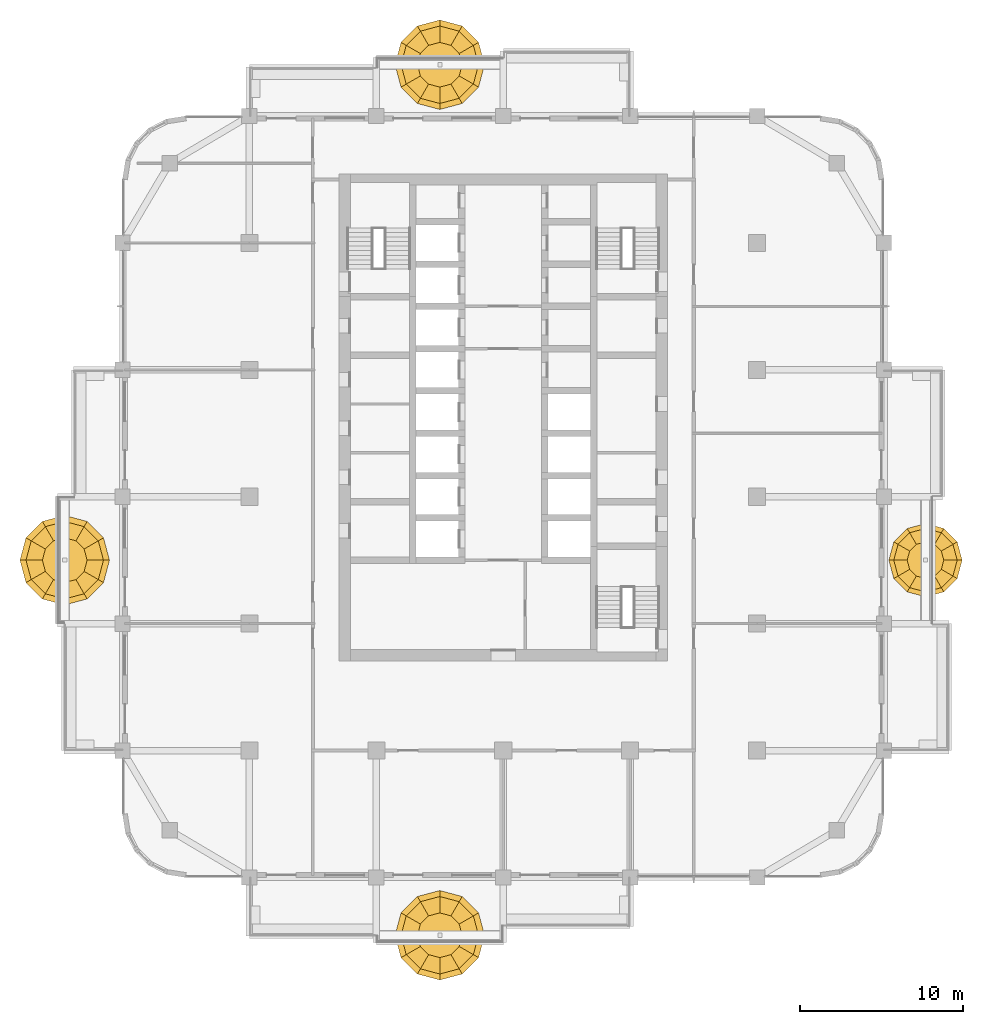
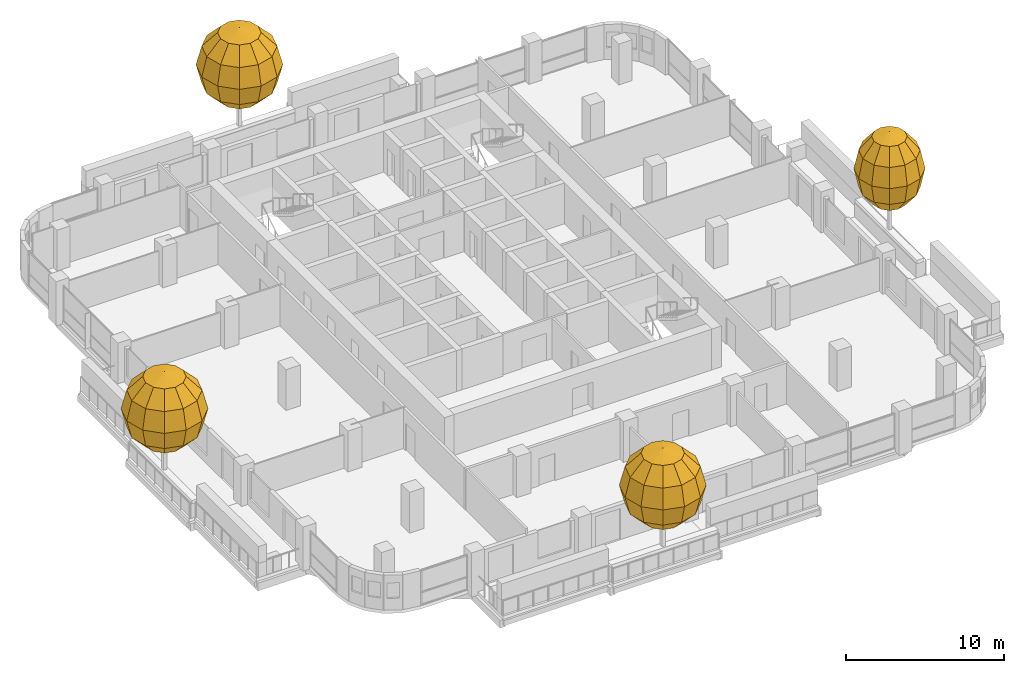
# One storey, part 21 of 21: 4 coverings.
"""IFC4 building model written with IfcOpenShell, lengths in metres."""

import ifcopenshell
import ifcopenshell.guid

model = None  # the IFC model being written
_history = None  # IfcOwnerHistory: only IFC2X3 demands one
_inside = {}  # id of a spatial element -> (the spatial element, [elements in it])
_under = {}  # id of a project, library or spatial element -> (it, [spatial elements below it])
_declared = {}  # id of a project -> (the project, [libraries it declares])
_typed = {}  # id of a type object -> (the type object, [elements of that type])
_made_of = {}  # id of a material, layer set ... -> (it, [elements and type objects made of it])


def new_model(schema):
    """Start an empty IFC model of exactly this schema.

    Asked for "IFC4X3", IfcOpenShell would pick the latest addendum, in which some entities
    have other attributes; the version numbers below select the first issue.
    IFC2X3 requires an IfcOwnerHistory on every rooted entity: one is made here for all.
    """
    global model, _history
    if schema == "IFC4X3":
        model = ifcopenshell.file(schema_version=(4, 3, 0, 0))
    else:
        model = ifcopenshell.file(schema=schema)
    _inside.clear()
    _under.clear()
    _declared.clear()
    _typed.clear()
    _made_of.clear()
    _history = None
    if model.schema == "IFC2X3":
        org = make("IfcOrganization", Name="unknown")
        user = make(
            "IfcPersonAndOrganization",
            ThePerson=make("IfcPerson", FamilyName="unknown"),
            TheOrganization=org,
        )
        app = make(
            "IfcApplication",
            ApplicationDeveloper=org,
            Version="unknown",
            ApplicationFullName="unknown",
            ApplicationIdentifier="unknown",
        )
        _history = make(
            "IfcOwnerHistory",
            OwningUser=user,
            OwningApplication=app,
            ChangeAction="ADDED",
            CreationDate=0,
        )
    return model


def make(cls, **values):
    """One entity of the class cls with the attributes given. An attribute that is None is left unset."""
    return model.create_entity(
        cls, **{name: value for name, value in values.items() if value is not None}
    )


def rooted(cls, **values):
    """An entity with a GlobalId (a new one), such as an element, a storey or a relation."""
    return make(cls, GlobalId=ifcopenshell.guid.new(), OwnerHistory=_history, **values)


def si_unit(unit_type, name, prefix=None):
    """IfcSIUnit, for example si_unit("LENGTHUNIT", "METRE", prefix="MILLI")."""
    return make("IfcSIUnit", UnitType=unit_type, Prefix=prefix, Name=name)


def assignment(units):
    """IfcUnitAssignment: the units of a project."""
    return None if units is None else make("IfcUnitAssignment", Units=units)


def point(xyz):
    """IfcCartesianPoint."""
    return None if xyz is None else make("IfcCartesianPoint", Coordinates=xyz)


def direction(xyz):
    """IfcDirection."""
    return None if xyz is None else make("IfcDirection", DirectionRatios=xyz)


def frame(location, z_axis=None, x_axis=None):
    """IfcAxis2Placement3D, a coordinate frame: its origin and axes. An axis left out is left unset."""
    return make(
        "IfcAxis2Placement3D",
        Location=point(location),
        Axis=direction(z_axis),
        RefDirection=direction(x_axis),
    )


def origin():
    """The frame at (0, 0, 0) with its axes left unset."""
    return frame((0.0, 0.0, 0.0))


def place(relative_to, where):
    """IfcLocalPlacement: puts the frame where relative to a parent placement (None: the world)."""
    return make(
        "IfcLocalPlacement", PlacementRelTo=relative_to, RelativePlacement=where
    )


def context(
    kind, dimensions, precision=None, world=None, true_north=None, identifier=None
):
    """IfcGeometricRepresentationContext, for example the 3D "Model" context."""
    return make(
        "IfcGeometricRepresentationContext",
        ContextIdentifier=identifier,
        ContextType=kind,
        CoordinateSpaceDimension=dimensions,
        Precision=precision,
        WorldCoordinateSystem=world,
        TrueNorth=true_north,
    )


def subcontext(parent, identifier, kind, view, scale=None):
    """IfcGeometricRepresentationSubContext, for example "Body" below "Model"."""
    return make(
        "IfcGeometricRepresentationSubContext",
        ContextIdentifier=identifier,
        ContextType=kind,
        ParentContext=parent,
        TargetScale=scale,
        TargetView=view,
    )


def project(units=None, contexts=None):
    """IfcProject with its units and contexts."""
    return rooted(
        "IfcProject",
        Name="project",
        RepresentationContexts=contexts,
        UnitsInContext=assignment(units),
    )


def spatial(cls, under=None, at=None, **own):
    """A site, building, storey or space (cls), placed at a placement, below another one or the project."""
    s = rooted(cls, ObjectPlacement=at, **own)
    if under is not None:
        _under.setdefault(under.id(), (under, []))[1].append(s)
    return s


def point_list(points):
    """IfcCartesianPointList2D or 3D."""
    cls = (
        "IfcCartesianPointList2D" if len(points[0]) == 2 else "IfcCartesianPointList3D"
    )
    return make(cls, CoordList=points)


def triangles(points, corners, closed=None, point_numbers=None):
    """IfcTriangulatedFaceSet: each triangle names its three corners, points numbered from 1."""
    return make(
        "IfcTriangulatedFaceSet",
        Coordinates=point_list(points),
        Closed=closed,
        CoordIndex=corners,
        PnIndex=point_numbers,
    )


def shape(context_of_items, identifier, shape_type, items):
    """IfcShapeRepresentation: the items that make up one representation, for example the "Body"."""
    return make(
        "IfcShapeRepresentation",
        ContextOfItems=context_of_items,
        RepresentationIdentifier=identifier,
        RepresentationType=shape_type,
        Items=items,
    )


def material(Name=None, Category=None):
    """IfcMaterial."""
    return make("IfcMaterial", Name=Name, Category=Category)


def layer(
    of_material, thickness, ventilated=None, Name=None, Category=None, Priority=None
):
    """IfcMaterialLayer: one layer of a wall or slab, of a material (None: an air gap)."""
    return make(
        "IfcMaterialLayer",
        Material=of_material,
        LayerThickness=thickness,
        IsVentilated=ventilated,
        Name=Name,
        Category=Category,
        Priority=Priority,
    )


def layer_set(layers, Name=None):
    """IfcMaterialLayerSet."""
    return make("IfcMaterialLayerSet", MaterialLayers=layers, LayerSetName=Name)


def made_of(thing, what):
    """Note that an element or type object is made of a material, layer set ...; save() writes the relation."""
    if what is not None:
        _made_of.setdefault(what.id(), (what, []))[1].append(thing)
    return thing


def type_object(cls, material=None, **own):
    """A type object (cls), such as IfcWallType, which elements share."""
    return made_of(rooted(cls, **own), material)


def element(
    cls,
    number,
    at=None,
    inside=None,
    cuts=None,
    type_object=None,
    material=None,
    context=None,
    identifier="Body",
    shape_type=None,
    held_by="IfcProductDefinitionShape",
    body=None,
    shapes=None,
    **own,
):
    """One element of the class cls, such as IfcWall. Its Tag is "e" and its number.

    at: its placement. inside: the storey or other place that contains it. cuts: it is an
    opening in that element (IfcRelVoidsElement). A single representation is given by context,
    identifier, shape_type and body (its items); several are given by shapes. held_by: the class
    of the entity that holds the representations. save() writes the other relations.
    """
    e = rooted(cls, Tag="e%d" % number, ObjectPlacement=at, **own)
    if body is not None:
        shapes = [shape(context, identifier, shape_type, body)]
    if shapes is not None:
        e.Representation = make(held_by, Representations=shapes)
    if inside is not None:
        _inside.setdefault(inside.id(), (inside, []))[1].append(e)
    if cuts is not None:
        rooted(
            "IfcRelVoidsElement", RelatingBuildingElement=cuts, RelatedOpeningElement=e
        )
    if type_object is not None:
        _typed.setdefault(type_object.id(), (type_object, []))[1].append(e)
    return made_of(e, material)


def aggregate(whole, parts):
    """IfcRelAggregates: a whole, such as a stair, and the parts it consists of."""
    return rooted("IfcRelAggregates", RelatingObject=whole, RelatedObjects=parts)


def save(model, path):
    """Write the relations noted so far, then the file.

    IfcRelAggregates (storeys below a building ...), IfcRelContainedInSpatialStructure (elements
    in a storey), IfcRelDefinesByType, IfcRelAssociatesMaterial and IfcRelDeclares: one each for
    every whole, place, type object, material and project.
    """
    for whole, parts in _under.values():
        aggregate(whole, parts)
    for where, things in _inside.values():
        rooted(
            "IfcRelContainedInSpatialStructure",
            RelatedElements=things,
            RelatingStructure=where,
        )
    for kind, things in _typed.values():
        rooted("IfcRelDefinesByType", RelatedObjects=things, RelatingType=kind)
    for what, things in _made_of.values():
        rooted("IfcRelAssociatesMaterial", RelatedObjects=things, RelatingMaterial=what)
    for by, libraries in _declared.values():
        rooted("IfcRelDeclares", RelatingContext=by, RelatedDefinitions=libraries)
    model.write(path)


model = new_model("IFC4")

# Units and contexts
model_context = context("Model", 3, precision=1e-05, world=origin(), true_north=direction((0.0, 1.0)))
body_context = subcontext(model_context, "Body", "Model", "MODEL_VIEW")
ifc_project = project(units=[si_unit("LENGTHUNIT", "METRE"), si_unit("AREAUNIT", "SQUARE_METRE"), si_unit("VOLUMEUNIT", "CUBIC_METRE"), si_unit("PLANEANGLEUNIT", "RADIAN"), si_unit("MASSUNIT", "GRAM", prefix="KILO")], contexts=[model_context])

# Site, building, storey
site_placement = place(None, origin())
site = spatial("IfcSite", under=ifc_project, at=site_placement, CompositionType="ELEMENT")
building_placement = place(site_placement, origin())
building = spatial("IfcBuilding", under=site, at=building_placement, Name="Ludao Terraces", CompositionType="ELEMENT")
storey_placement = place(building_placement, frame((0.0, 0.0, 71.60009765625)))
storey = spatial("IfcBuildingStorey", under=building, at=storey_placement, Name="L19", CompositionType="ELEMENT", Elevation=71.60009765625)

# Coverings
ifc_material = material(Name="Planting")
ifc_layer_1 = layer(ifc_material, 4.5)
ifc_layer_set_1 = layer_set([ifc_layer_1], Name="ENV Tree crown 4500x5700")
covering_type_1 = type_object("IfcCoveringType", Name="ENV Tree crown 4500x5700", PredefinedType="USERDEFINED", material=ifc_layer_set_1)
covering_1_placement = place(storey_placement, frame((110.949951171875, 61.10009765625, 6.0)))
element("IfcCovering", 1, at=covering_1_placement, inside=storey, type_object=covering_type_1, Name="Tree crown L19 E2", ObjectType="PLANTING", PredefinedType="USERDEFINED", context=body_context, shape_type="Tessellation", body=[
    triangles([(0.0, 0.0, 2.85009765625), (1.125, 0.0, 2.46826171875), (0.974365234375, 0.5625, 2.46826171875), (0.5625, 0.974365234375, 2.46826171875), (0.0, 1.125, 2.46826171875), (-0.5625, 0.974365234375, 2.46826171875), (-0.974365234375, 0.5625, 2.46826171875), (-1.125, 0.0, 2.46826171875), (-0.974365234375, -0.5625, 2.46826171875), (-0.5625, -0.974365234375, 2.46826171875), (0.0, -1.125, 2.46826171875), (0.5625, -0.974365234375, 2.46826171875), (0.974365234375, -0.5625, 2.46826171875), (1.948486328125, 0.0, 1.425048828125), (1.6875, 0.974365234375, 1.425048828125), (0.974365234375, 1.6875, 1.425048828125), (0.0, 1.948486328125, 1.425048828125), (-0.974365234375, 1.6875, 1.425048828125), (-1.6875, 0.974365234375, 1.425048828125), (-1.948486328125, 0.0, 1.425048828125), (-1.6875, -0.974365234375, 1.425048828125), (-0.974365234375, -1.6875, 1.425048828125), (0.0, -1.948486328125, 1.425048828125), (0.974365234375, -1.6875, 1.425048828125), (1.6875, -0.974365234375, 1.425048828125), (2.25, 0.0, 0.0), (1.948486328125, 1.125, 0.0), (1.125, 1.948486328125, 0.0), (0.0, 2.25, 0.0), (-1.125, 1.948486328125, 0.0), (-1.948486328125, 1.125, 0.0), (-2.25, 0.0, 0.0), (-1.948486328125, -1.125, 0.0), (-1.125, -1.948486328125, 0.0), (0.0, -2.25, 0.0), (1.125, -1.948486328125, 0.0), (1.948486328125, -1.125, 0.0), (1.948486328125, 0.0, -1.425048828125), (1.6875, 0.974365234375, -1.425048828125), (0.974365234375, 1.6875, -1.425048828125), (0.0, 1.948486328125, -1.425048828125), (-0.974365234375, 1.6875, -1.425048828125), (-1.6875, 0.974365234375, -1.425048828125), (-1.948486328125, 0.0, -1.425048828125), (-1.6875, -0.974365234375, -1.425048828125), (-0.974365234375, -1.6875, -1.425048828125), (0.0, -1.948486328125, -1.425048828125), (0.974365234375, -1.6875, -1.425048828125), (1.6875, -0.974365234375, -1.425048828125), (1.125, 0.0, -2.46826171875), (0.974365234375, 0.5625, -2.46826171875), (0.5625, 0.974365234375, -2.46826171875), (0.0, 1.125, -2.46826171875), (-0.5625, 0.974365234375, -2.46826171875), (-0.974365234375, 0.5625, -2.46826171875), (-1.125, 0.0, -2.46826171875), (-0.974365234375, -0.5625, -2.46826171875), (-0.5625, -0.974365234375, -2.46826171875), (0.0, -1.125, -2.46826171875), (0.5625, -0.974365234375, -2.46826171875), (0.974365234375, -0.5625, -2.46826171875), (0.0, 0.0, -2.85009765625)], [[1, 2, 3], [1, 3, 4], [1, 4, 5], [1, 5, 6], [1, 6, 7], [1, 7, 8], [1, 8, 9], [1, 9, 10], [1, 10, 11], [1, 11, 12], [1, 12, 13], [1, 13, 2], [2, 14, 15], [2, 15, 3], [3, 15, 16], [3, 16, 4], [4, 16, 17], [4, 17, 5], [5, 17, 18], [5, 18, 6], [6, 18, 19], [6, 19, 7], [7, 19, 20], [7, 20, 8], [8, 20, 21], [8, 21, 9], [9, 21, 22], [9, 22, 10], [10, 22, 23], [10, 23, 11], [11, 23, 24], [11, 24, 12], [12, 24, 25], [12, 25, 13], [13, 25, 14], [13, 14, 2], [14, 26, 27], [14, 27, 15], [15, 27, 28], [15, 28, 16], [16, 28, 29], [16, 29, 17], [17, 29, 30], [17, 30, 18], [18, 30, 31], [18, 31, 19], [19, 31, 32], [19, 32, 20], [20, 32, 33], [20, 33, 21], [21, 33, 34], [21, 34, 22], [22, 34, 35], [22, 35, 23], [23, 35, 36], [23, 36, 24], [24, 36, 37], [24, 37, 25], [25, 37, 26], [25, 26, 14], [26, 38, 39], [26, 39, 27], [27, 39, 40], [27, 40, 28], [28, 40, 41], [28, 41, 29], [29, 41, 42], [29, 42, 30], [30, 42, 43], [30, 43, 31], [31, 43, 44], [31, 44, 32], [32, 44, 45], [32, 45, 33], [33, 45, 46], [33, 46, 34], [34, 46, 47], [34, 47, 35], [35, 47, 48], [35, 48, 36], [36, 48, 49], [36, 49, 37], [37, 49, 38], [37, 38, 26], [38, 50, 51], [38, 51, 39], [39, 51, 52], [39, 52, 40], [40, 52, 53], [40, 53, 41], [41, 53, 54], [41, 54, 42], [42, 54, 55], [42, 55, 43], [43, 55, 56], [43, 56, 44], [44, 56, 57], [44, 57, 45], [45, 57, 58], [45, 58, 46], [46, 58, 59], [46, 59, 47], [47, 59, 60], [47, 60, 48], [48, 60, 61], [48, 61, 49], [49, 61, 50], [49, 50, 38], [62, 51, 50], [62, 52, 51], [62, 53, 52], [62, 54, 53], [62, 55, 54], [62, 56, 55], [62, 57, 56], [62, 58, 57], [62, 59, 58], [62, 60, 59], [62, 61, 60], [62, 50, 61]], closed=True),
])
ifc_layer_2 = layer(ifc_material, 5.5)
ifc_layer_set_2 = layer_set([ifc_layer_2], Name="ENV Tree crown 5500x5700")
covering_type_2 = type_object("IfcCoveringType", Name="ENV Tree crown 5500x5700", PredefinedType="USERDEFINED", material=ifc_layer_set_2)
covering_2_placement = place(storey_placement, frame((81.10009765625, 38.050048828125, 6.0)))
element("IfcCovering", 2, at=covering_2_placement, inside=storey, type_object=covering_type_2, Name="Tree crown L19 S2", ObjectType="PLANTING", PredefinedType="USERDEFINED", context=body_context, shape_type="Tessellation", body=[
    triangles([(0.0, 0.0, 2.85009765625), (1.375, 0.0, 2.46826171875), (1.190673828125, 0.6875, 2.46826171875), (0.6875, 1.190673828125, 2.46826171875), (0.0, 1.375, 2.46826171875), (-0.6875, 1.190673828125, 2.46826171875), (-1.190673828125, 0.6875, 2.46826171875), (-1.375, 0.0, 2.46826171875), (-1.190673828125, -0.6875, 2.46826171875), (-0.6875, -1.190673828125, 2.46826171875), (0.0, -1.375, 2.46826171875), (0.6875, -1.190673828125, 2.46826171875), (1.190673828125, -0.6875, 2.46826171875), (2.381591796875, 0.0, 1.425048828125), (2.0625, 1.190673828125, 1.425048828125), (1.190673828125, 2.0625, 1.425048828125), (0.0, 2.381591796875, 1.425048828125), (-1.190673828125, 2.0625, 1.425048828125), (-2.0625, 1.190673828125, 1.425048828125), (-2.381591796875, 0.0, 1.425048828125), (-2.0625, -1.190673828125, 1.425048828125), (-1.190673828125, -2.0625, 1.425048828125), (0.0, -2.381591796875, 1.425048828125), (1.190673828125, -2.0625, 1.425048828125), (2.0625, -1.190673828125, 1.425048828125), (2.75, 0.0, 0.0), (2.381591796875, 1.375, 0.0), (1.375, 2.381591796875, 0.0), (0.0, 2.75, 0.0), (-1.375, 2.381591796875, 0.0), (-2.381591796875, 1.375, 0.0), (-2.75, 0.0, 0.0), (-2.381591796875, -1.375, 0.0), (-1.375, -2.381591796875, 0.0), (0.0, -2.75, 0.0), (1.375, -2.381591796875, 0.0), (2.381591796875, -1.375, 0.0), (2.381591796875, 0.0, -1.425048828125), (2.0625, 1.190673828125, -1.425048828125), (1.190673828125, 2.0625, -1.425048828125), (0.0, 2.381591796875, -1.425048828125), (-1.190673828125, 2.0625, -1.425048828125), (-2.0625, 1.190673828125, -1.425048828125), (-2.381591796875, 0.0, -1.425048828125), (-2.0625, -1.190673828125, -1.425048828125), (-1.190673828125, -2.0625, -1.425048828125), (0.0, -2.381591796875, -1.425048828125), (1.190673828125, -2.0625, -1.425048828125), (2.0625, -1.190673828125, -1.425048828125), (1.375, 0.0, -2.46826171875), (1.190673828125, 0.6875, -2.46826171875), (0.6875, 1.190673828125, -2.46826171875), (0.0, 1.375, -2.46826171875), (-0.6875, 1.190673828125, -2.46826171875), (-1.190673828125, 0.6875, -2.46826171875), (-1.375, 0.0, -2.46826171875), (-1.190673828125, -0.6875, -2.46826171875), (-0.6875, -1.190673828125, -2.46826171875), (0.0, -1.375, -2.46826171875), (0.6875, -1.190673828125, -2.46826171875), (1.190673828125, -0.6875, -2.46826171875), (0.0, 0.0, -2.85009765625)], [[1, 2, 3], [1, 3, 4], [1, 4, 5], [1, 5, 6], [1, 6, 7], [1, 7, 8], [1, 8, 9], [1, 9, 10], [1, 10, 11], [1, 11, 12], [1, 12, 13], [1, 13, 2], [2, 14, 15], [2, 15, 3], [3, 15, 16], [3, 16, 4], [4, 16, 17], [4, 17, 5], [5, 17, 18], [5, 18, 6], [6, 18, 19], [6, 19, 7], [7, 19, 20], [7, 20, 8], [8, 20, 21], [8, 21, 9], [9, 21, 22], [9, 22, 10], [10, 22, 23], [10, 23, 11], [11, 23, 24], [11, 24, 12], [12, 24, 25], [12, 25, 13], [13, 25, 14], [13, 14, 2], [14, 26, 27], [14, 27, 15], [15, 27, 28], [15, 28, 16], [16, 28, 29], [16, 29, 17], [17, 29, 30], [17, 30, 18], [18, 30, 31], [18, 31, 19], [19, 31, 32], [19, 32, 20], [20, 32, 33], [20, 33, 21], [21, 33, 34], [21, 34, 22], [22, 34, 35], [22, 35, 23], [23, 35, 36], [23, 36, 24], [24, 36, 37], [24, 37, 25], [25, 37, 26], [25, 26, 14], [26, 38, 39], [26, 39, 27], [27, 39, 40], [27, 40, 28], [28, 40, 41], [28, 41, 29], [29, 41, 42], [29, 42, 30], [30, 42, 43], [30, 43, 31], [31, 43, 44], [31, 44, 32], [32, 44, 45], [32, 45, 33], [33, 45, 46], [33, 46, 34], [34, 46, 47], [34, 47, 35], [35, 47, 48], [35, 48, 36], [36, 48, 49], [36, 49, 37], [37, 49, 38], [37, 38, 26], [38, 50, 51], [38, 51, 39], [39, 51, 52], [39, 52, 40], [40, 52, 53], [40, 53, 41], [41, 53, 54], [41, 54, 42], [42, 54, 55], [42, 55, 43], [43, 55, 56], [43, 56, 44], [44, 56, 57], [44, 57, 45], [45, 57, 58], [45, 58, 46], [46, 58, 59], [46, 59, 47], [47, 59, 60], [47, 60, 48], [48, 60, 61], [48, 61, 49], [49, 61, 50], [49, 50, 38], [62, 51, 50], [62, 52, 51], [62, 53, 52], [62, 54, 53], [62, 55, 54], [62, 56, 55], [62, 57, 56], [62, 58, 57], [62, 59, 58], [62, 60, 59], [62, 61, 60], [62, 50, 61]], closed=True),
])
covering_3_placement = place(storey_placement, frame((81.10009765625, 91.550048828125, 6.0)))
element("IfcCovering", 3, at=covering_3_placement, inside=storey, type_object=covering_type_2, Name="Tree crown L19 N2", ObjectType="PLANTING", PredefinedType="USERDEFINED", context=body_context, shape_type="Tessellation", body=[
    triangles([(0.0, 0.0, 2.85009765625), (1.375, 0.0, 2.46826171875), (1.190673828125, 0.6875, 2.46826171875), (0.6875, 1.190673828125, 2.46826171875), (0.0, 1.375, 2.46826171875), (-0.6875, 1.190673828125, 2.46826171875), (-1.190673828125, 0.6875, 2.46826171875), (-1.375, 0.0, 2.46826171875), (-1.190673828125, -0.6875, 2.46826171875), (-0.6875, -1.190673828125, 2.46826171875), (0.0, -1.375, 2.46826171875), (0.6875, -1.190673828125, 2.46826171875), (1.190673828125, -0.6875, 2.46826171875), (2.381591796875, 0.0, 1.425048828125), (2.0625, 1.190673828125, 1.425048828125), (1.190673828125, 2.0625, 1.425048828125), (0.0, 2.381591796875, 1.425048828125), (-1.190673828125, 2.0625, 1.425048828125), (-2.0625, 1.190673828125, 1.425048828125), (-2.381591796875, 0.0, 1.425048828125), (-2.0625, -1.190673828125, 1.425048828125), (-1.190673828125, -2.0625, 1.425048828125), (0.0, -2.381591796875, 1.425048828125), (1.190673828125, -2.0625, 1.425048828125), (2.0625, -1.190673828125, 1.425048828125), (2.75, 0.0, 0.0), (2.381591796875, 1.375, 0.0), (1.375, 2.381591796875, 0.0), (0.0, 2.75, 0.0), (-1.375, 2.381591796875, 0.0), (-2.381591796875, 1.375, 0.0), (-2.75, 0.0, 0.0), (-2.381591796875, -1.375, 0.0), (-1.375, -2.381591796875, 0.0), (0.0, -2.75, 0.0), (1.375, -2.381591796875, 0.0), (2.381591796875, -1.375, 0.0), (2.381591796875, 0.0, -1.425048828125), (2.0625, 1.190673828125, -1.425048828125), (1.190673828125, 2.0625, -1.425048828125), (0.0, 2.381591796875, -1.425048828125), (-1.190673828125, 2.0625, -1.425048828125), (-2.0625, 1.190673828125, -1.425048828125), (-2.381591796875, 0.0, -1.425048828125), (-2.0625, -1.190673828125, -1.425048828125), (-1.190673828125, -2.0625, -1.425048828125), (0.0, -2.381591796875, -1.425048828125), (1.190673828125, -2.0625, -1.425048828125), (2.0625, -1.190673828125, -1.425048828125), (1.375, 0.0, -2.46826171875), (1.190673828125, 0.6875, -2.46826171875), (0.6875, 1.190673828125, -2.46826171875), (0.0, 1.375, -2.46826171875), (-0.6875, 1.190673828125, -2.46826171875), (-1.190673828125, 0.6875, -2.46826171875), (-1.375, 0.0, -2.46826171875), (-1.190673828125, -0.6875, -2.46826171875), (-0.6875, -1.190673828125, -2.46826171875), (0.0, -1.375, -2.46826171875), (0.6875, -1.190673828125, -2.46826171875), (1.190673828125, -0.6875, -2.46826171875), (0.0, 0.0, -2.85009765625)], [[1, 2, 3], [1, 3, 4], [1, 4, 5], [1, 5, 6], [1, 6, 7], [1, 7, 8], [1, 8, 9], [1, 9, 10], [1, 10, 11], [1, 11, 12], [1, 12, 13], [1, 13, 2], [2, 14, 15], [2, 15, 3], [3, 15, 16], [3, 16, 4], [4, 16, 17], [4, 17, 5], [5, 17, 18], [5, 18, 6], [6, 18, 19], [6, 19, 7], [7, 19, 20], [7, 20, 8], [8, 20, 21], [8, 21, 9], [9, 21, 22], [9, 22, 10], [10, 22, 23], [10, 23, 11], [11, 23, 24], [11, 24, 12], [12, 24, 25], [12, 25, 13], [13, 25, 14], [13, 14, 2], [14, 26, 27], [14, 27, 15], [15, 27, 28], [15, 28, 16], [16, 28, 29], [16, 29, 17], [17, 29, 30], [17, 30, 18], [18, 30, 31], [18, 31, 19], [19, 31, 32], [19, 32, 20], [20, 32, 33], [20, 33, 21], [21, 33, 34], [21, 34, 22], [22, 34, 35], [22, 35, 23], [23, 35, 36], [23, 36, 24], [24, 36, 37], [24, 37, 25], [25, 37, 26], [25, 26, 14], [26, 38, 39], [26, 39, 27], [27, 39, 40], [27, 40, 28], [28, 40, 41], [28, 41, 29], [29, 41, 42], [29, 42, 30], [30, 42, 43], [30, 43, 31], [31, 43, 44], [31, 44, 32], [32, 44, 45], [32, 45, 33], [33, 45, 46], [33, 46, 34], [34, 46, 47], [34, 47, 35], [35, 47, 48], [35, 48, 36], [36, 48, 49], [36, 49, 37], [37, 49, 38], [37, 38, 26], [38, 50, 51], [38, 51, 39], [39, 51, 52], [39, 52, 40], [40, 52, 53], [40, 53, 41], [41, 53, 54], [41, 54, 42], [42, 54, 55], [42, 55, 43], [43, 55, 56], [43, 56, 44], [44, 56, 57], [44, 57, 45], [45, 57, 58], [45, 58, 46], [46, 58, 59], [46, 59, 47], [47, 59, 60], [47, 60, 48], [48, 60, 61], [48, 61, 49], [49, 61, 50], [49, 50, 38], [62, 51, 50], [62, 52, 51], [62, 53, 52], [62, 54, 53], [62, 55, 54], [62, 56, 55], [62, 57, 56], [62, 58, 57], [62, 59, 58], [62, 60, 59], [62, 61, 60], [62, 50, 61]], closed=True),
])
covering_4_placement = place(storey_placement, frame((58.050048828125, 61.10009765625, 6.0)))
element("IfcCovering", 4, at=covering_4_placement, inside=storey, type_object=covering_type_2, Name="Tree crown L19 W2", ObjectType="PLANTING", PredefinedType="USERDEFINED", context=body_context, shape_type="Tessellation", body=[
    triangles([(0.0, 0.0, 2.85009765625), (1.375, 0.0, 2.46826171875), (1.190673828125, 0.6875, 2.46826171875), (0.6875, 1.190673828125, 2.46826171875), (0.0, 1.375, 2.46826171875), (-0.6875, 1.190673828125, 2.46826171875), (-1.190673828125, 0.6875, 2.46826171875), (-1.375, 0.0, 2.46826171875), (-1.190673828125, -0.6875, 2.46826171875), (-0.6875, -1.190673828125, 2.46826171875), (0.0, -1.375, 2.46826171875), (0.6875, -1.190673828125, 2.46826171875), (1.190673828125, -0.6875, 2.46826171875), (2.381591796875, 0.0, 1.425048828125), (2.0625, 1.190673828125, 1.425048828125), (1.190673828125, 2.0625, 1.425048828125), (0.0, 2.381591796875, 1.425048828125), (-1.190673828125, 2.0625, 1.425048828125), (-2.0625, 1.190673828125, 1.425048828125), (-2.381591796875, 0.0, 1.425048828125), (-2.0625, -1.190673828125, 1.425048828125), (-1.190673828125, -2.0625, 1.425048828125), (0.0, -2.381591796875, 1.425048828125), (1.190673828125, -2.0625, 1.425048828125), (2.0625, -1.190673828125, 1.425048828125), (2.75, 0.0, 0.0), (2.381591796875, 1.375, 0.0), (1.375, 2.381591796875, 0.0), (0.0, 2.75, 0.0), (-1.375, 2.381591796875, 0.0), (-2.381591796875, 1.375, 0.0), (-2.75, 0.0, 0.0), (-2.381591796875, -1.375, 0.0), (-1.375, -2.381591796875, 0.0), (0.0, -2.75, 0.0), (1.375, -2.381591796875, 0.0), (2.381591796875, -1.375, 0.0), (2.381591796875, 0.0, -1.425048828125), (2.0625, 1.190673828125, -1.425048828125), (1.190673828125, 2.0625, -1.425048828125), (0.0, 2.381591796875, -1.425048828125), (-1.190673828125, 2.0625, -1.425048828125), (-2.0625, 1.190673828125, -1.425048828125), (-2.381591796875, 0.0, -1.425048828125), (-2.0625, -1.190673828125, -1.425048828125), (-1.190673828125, -2.0625, -1.425048828125), (0.0, -2.381591796875, -1.425048828125), (1.190673828125, -2.0625, -1.425048828125), (2.0625, -1.190673828125, -1.425048828125), (1.375, 0.0, -2.46826171875), (1.190673828125, 0.6875, -2.46826171875), (0.6875, 1.190673828125, -2.46826171875), (0.0, 1.375, -2.46826171875), (-0.6875, 1.190673828125, -2.46826171875), (-1.190673828125, 0.6875, -2.46826171875), (-1.375, 0.0, -2.46826171875), (-1.190673828125, -0.6875, -2.46826171875), (-0.6875, -1.190673828125, -2.46826171875), (0.0, -1.375, -2.46826171875), (0.6875, -1.190673828125, -2.46826171875), (1.190673828125, -0.6875, -2.46826171875), (0.0, 0.0, -2.85009765625)], [[1, 2, 3], [1, 3, 4], [1, 4, 5], [1, 5, 6], [1, 6, 7], [1, 7, 8], [1, 8, 9], [1, 9, 10], [1, 10, 11], [1, 11, 12], [1, 12, 13], [1, 13, 2], [2, 14, 15], [2, 15, 3], [3, 15, 16], [3, 16, 4], [4, 16, 17], [4, 17, 5], [5, 17, 18], [5, 18, 6], [6, 18, 19], [6, 19, 7], [7, 19, 20], [7, 20, 8], [8, 20, 21], [8, 21, 9], [9, 21, 22], [9, 22, 10], [10, 22, 23], [10, 23, 11], [11, 23, 24], [11, 24, 12], [12, 24, 25], [12, 25, 13], [13, 25, 14], [13, 14, 2], [14, 26, 27], [14, 27, 15], [15, 27, 28], [15, 28, 16], [16, 28, 29], [16, 29, 17], [17, 29, 30], [17, 30, 18], [18, 30, 31], [18, 31, 19], [19, 31, 32], [19, 32, 20], [20, 32, 33], [20, 33, 21], [21, 33, 34], [21, 34, 22], [22, 34, 35], [22, 35, 23], [23, 35, 36], [23, 36, 24], [24, 36, 37], [24, 37, 25], [25, 37, 26], [25, 26, 14], [26, 38, 39], [26, 39, 27], [27, 39, 40], [27, 40, 28], [28, 40, 41], [28, 41, 29], [29, 41, 42], [29, 42, 30], [30, 42, 43], [30, 43, 31], [31, 43, 44], [31, 44, 32], [32, 44, 45], [32, 45, 33], [33, 45, 46], [33, 46, 34], [34, 46, 47], [34, 47, 35], [35, 47, 48], [35, 48, 36], [36, 48, 49], [36, 49, 37], [37, 49, 38], [37, 38, 26], [38, 50, 51], [38, 51, 39], [39, 51, 52], [39, 52, 40], [40, 52, 53], [40, 53, 41], [41, 53, 54], [41, 54, 42], [42, 54, 55], [42, 55, 43], [43, 55, 56], [43, 56, 44], [44, 56, 57], [44, 57, 45], [45, 57, 58], [45, 58, 46], [46, 58, 59], [46, 59, 47], [47, 59, 60], [47, 60, 48], [48, 60, 61], [48, 61, 49], [49, 61, 50], [49, 50, 38], [62, 51, 50], [62, 52, 51], [62, 53, 52], [62, 54, 53], [62, 55, 54], [62, 56, 55], [62, 57, 56], [62, 58, 57], [62, 59, 58], [62, 60, 59], [62, 61, 60], [62, 50, 61]], closed=True),
])

save(model, "model.ifc")
